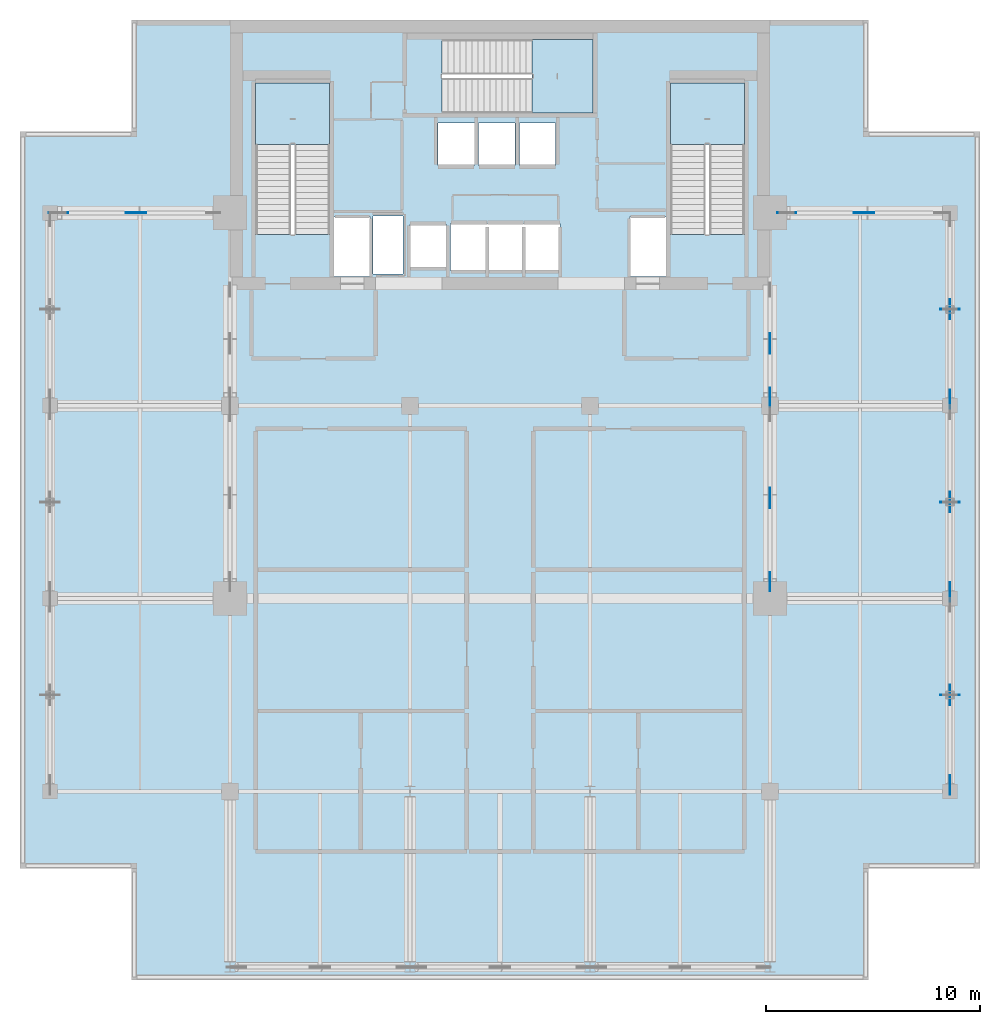
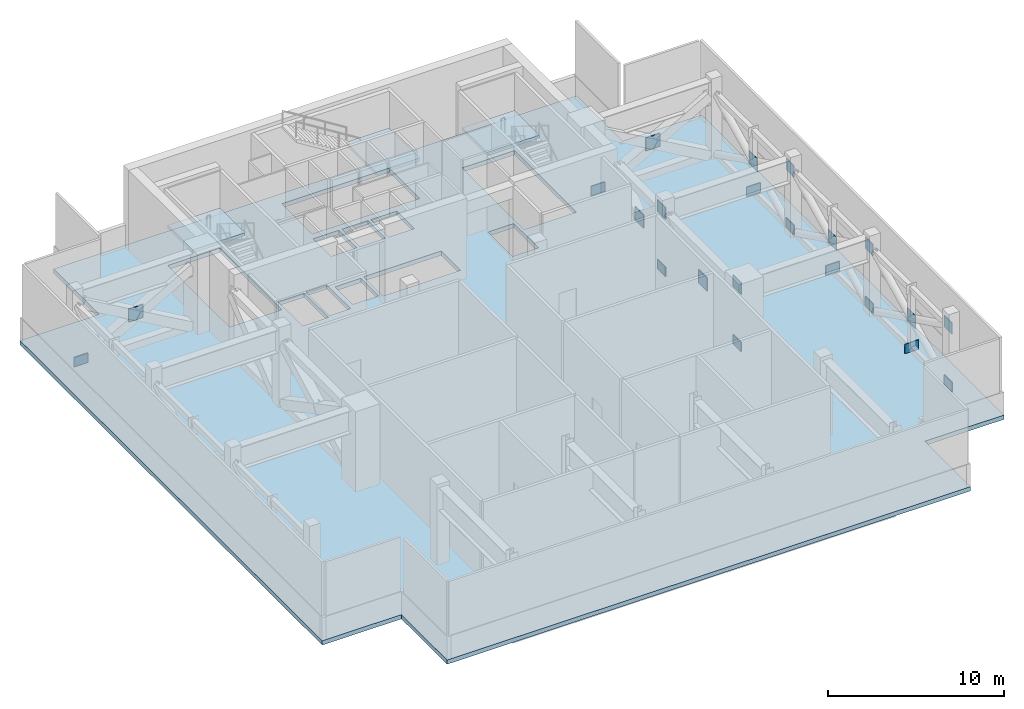
# One storey, part 4 of 11: 22 plates, 4 slabs, 3 elements without a shape of their own.
"""IFC4 building model written with IfcOpenShell, lengths in metres."""

from ifc_helpers import new_model, si_unit, direction, frame, origin, origin_2d, place, context, subcontext, project, spatial, polyline, rectangle, outline, extrude, material, layer, layer_set, type_object, element, aggregate, save


model = new_model("IFC4")

# Units and contexts
model_context = context("Model", 3, precision=1e-05, world=origin(), true_north=direction((0.0, 1.0)))
body_context = subcontext(model_context, "Body", "Model", "MODEL_VIEW")
ifc_project = project(units=[si_unit("LENGTHUNIT", "METRE"), si_unit("AREAUNIT", "SQUARE_METRE"), si_unit("VOLUMEUNIT", "CUBIC_METRE"), si_unit("PLANEANGLEUNIT", "RADIAN"), si_unit("MASSUNIT", "GRAM", prefix="KILO")], contexts=[model_context])

# Site, building, storey
site_placement = place(None, origin())
site = spatial("IfcSite", under=ifc_project, at=site_placement, CompositionType="ELEMENT")
building_placement = place(site_placement, origin())
building = spatial("IfcBuilding", under=site, at=building_placement, Name="Maruvema Waterfront Hotel and Observation Tower", CompositionType="ELEMENT")
storey_placement = place(building_placement, frame((0.0, 0.0, 316.39990234375)))
storey = spatial("IfcBuildingStorey", under=building, at=storey_placement, Name="L78", CompositionType="ELEMENT", Elevation=316.39990234375)

# Slab
ifc_material_1 = material(Name="Concrete C50/60", Category="concrete")
ifc_layer_1 = layer(ifc_material_1, 0.300048828125, Name="Reinforced Concrete Floor Slab 300 mm")
ifc_layer_set_1 = layer_set([ifc_layer_1], Name="Concrete C50/60")
slab_type_1 = type_object("IfcSlabType", Name="Reinforced Concrete Floor Slab 300 mm", PredefinedType="FLOOR", material=ifc_layer_set_1)
slab_1_placement = place(storey_placement, frame((0.0, 0.0, -0.2998046875)))
element("IfcSlab", 1, at=slab_1_placement, inside=storey, type_object=slab_type_1, Name="L78 Structural Floor Slab", PredefinedType="FLOOR", context=body_context, shape_type="SweptSolid", body=[
    extrude(outline(polyline([(20.60009765625, 9.199951171875), (55.0, 9.199951171875), (55.0, 14.39990234375), (60.199951171875, 14.39990234375), (60.199951171875, 48.800048828125), (55.0, 48.800048828125), (55.0, 54.0), (20.60009765625, 54.0), (20.60009765625, 48.800048828125), (15.39990234375, 48.800048828125), (15.39990234375, 14.39990234375), (20.60009765625, 14.39990234375), (20.60009765625, 9.199951171875)]), holes=[polyline([(26.39990234375, 44.00048828125), (26.39990234375, 51.050048828125), (29.85009765625, 51.050048828125), (29.85009765625, 44.00048828125), (26.39990234375, 44.00048828125)]), polyline([(30.050048828125, 44.800048828125), (31.75, 44.800048828125), (31.75, 42.02001953125), (30.050048828125, 42.02001953125), (30.050048828125, 44.800048828125)]), polyline([(31.8798828125, 42.139892578125), (31.8798828125, 44.860107421875), (33.280029296875, 44.860107421875), (33.280029296875, 42.139892578125), (31.8798828125, 42.139892578125)]), polyline([(33.60009765625, 44.449951171875), (35.300048828125, 44.449951171875), (35.300048828125, 42.449951171875), (33.60009765625, 42.449951171875), (33.60009765625, 44.449951171875)]), polyline([(34.89990234375, 49.199951171875), (36.60009765625, 49.199951171875), (36.60009765625, 47.199951171875), (34.89990234375, 47.199951171875), (34.89990234375, 49.199951171875)]), polyline([(36.800048828125, 47.199951171875), (36.800048828125, 49.199951171875), (38.5, 49.199951171875), (38.5, 47.199951171875), (36.800048828125, 47.199951171875)]), polyline([(35.5, 42.300048828125), (35.5, 44.5), (40.60009765625, 44.5), (40.60009765625, 42.300048828125), (35.5, 42.300048828125)]), polyline([(35.1005859375, 53.10009765625), (42.14990234375, 53.10009765625), (42.14990234375, 49.64990234375), (35.1005859375, 49.64990234375), (35.1005859375, 53.10009765625)]), polyline([(38.699951171875, 49.199951171875), (40.39990234375, 49.199951171875), (40.39990234375, 47.199951171875), (38.699951171875, 47.199951171875), (38.699951171875, 49.199951171875)]), polyline([(43.85009765625, 44.800048828125), (45.550048828125, 44.800048828125), (45.550048828125, 42.02001953125), (43.85009765625, 42.02001953125), (43.85009765625, 44.800048828125)]), polyline([(45.75, 44.00048828125), (45.75, 51.050048828125), (49.199951171875, 51.050048828125), (49.199951171875, 44.00048828125), (45.75, 44.00048828125)])]), origin(), (0.0, 0.0, 1.0), 0.2998046875),
])

# Stair, slab
ifc_material_2 = material(Name="Concrete C50/60", Category="concrete")
stair_type = type_object("IfcStairType", Name="Dogleg Exit Stair 1650 mm (32R x 175.0 mm)", PredefinedType="HALF_TURN_STAIR", material=ifc_material_2)
stair_1_placement = place(storey_placement, origin())
stair_1 = element("IfcStair", 2, at=stair_1_placement, inside=storey, type_object=stair_type, Name="L78 ST-01", PredefinedType="HALF_TURN_STAIR")
ifc_material_3 = material(Name="Concrete C50/60", Category="concrete")
ifc_layer_2 = layer(ifc_material_3, 0.219970703125, Name="Stair Concrete Landing Slab 220 mm")
ifc_layer_set_2 = layer_set([ifc_layer_2], Name="Concrete C50/60")
slab_type_2 = type_object("IfcSlabType", Name="Stair Concrete Landing Slab 220 mm", PredefinedType="LANDING", material=ifc_layer_set_2)
slab_2_placement = place(storey_placement, frame((0.0, 0.0, 2.580078125)))
slab_2 = element("IfcSlab", 3, at=slab_2_placement, type_object=slab_type_2, Name="ST-01 landing 1", PredefinedType="LANDING", context=body_context, shape_type="SweptSolid", body=[
    extrude(outline(polyline([(29.85009765625, 48.199951171875), (29.85009765625, 51.050048828125), (26.39990234375, 51.050048828125), (26.39990234375, 48.199951171875), (29.85009765625, 48.199951171875)])), origin(), (0.0, 0.0, 1.0), 0.219970703125),
])
aggregate(stair_1, [slab_2])

stair_2_placement = place(storey_placement, origin())
stair_2 = element("IfcStair", 4, at=stair_2_placement, inside=storey, type_object=stair_type, Name="L78 ST-02", PredefinedType="HALF_TURN_STAIR")
slab_3_placement = place(storey_placement, frame((0.0, 0.0, 2.580078125)))
slab_3 = element("IfcSlab", 5, at=slab_3_placement, type_object=slab_type_2, Name="ST-02 landing 1", PredefinedType="LANDING", context=body_context, shape_type="SweptSolid", body=[
    extrude(outline(polyline([(39.300048828125, 49.64990234375), (42.14990234375, 49.64990234375), (42.14990234375, 53.10009765625), (39.300048828125, 53.10009765625), (39.300048828125, 49.64990234375)])), origin(), (0.0, 0.0, 1.0), 0.219970703125),
])
aggregate(stair_2, [slab_3])

stair_3_placement = place(storey_placement, origin())
stair_3 = element("IfcStair", 6, at=stair_3_placement, inside=storey, type_object=stair_type, Name="L78 ST-03", PredefinedType="HALF_TURN_STAIR")
slab_4_placement = place(storey_placement, frame((0.0, 0.0, 2.580078125)))
slab_4 = element("IfcSlab", 7, at=slab_4_placement, type_object=slab_type_2, Name="ST-03 landing 1", PredefinedType="LANDING", context=body_context, shape_type="SweptSolid", body=[
    extrude(outline(polyline([(49.199951171875, 48.199951171875), (49.199951171875, 51.050048828125), (45.75, 51.050048828125), (45.75, 48.199951171875), (49.199951171875, 48.199951171875)])), origin(), (0.0, 0.0, 1.0), 0.219970703125),
])
aggregate(stair_3, [slab_4])

# Plates
ifc_material_4 = material(Name="Steel ABNT NBR 7007 AR 415 (ASTM A572 Grade 50)", Category="steel")
ifc_layer_3 = layer(ifc_material_4, 0.0400390625, Name="Structural Truss Node Gusset Plate 40 mm")
ifc_layer_set_3 = layer_set([ifc_layer_3], Name="Steel ABNT NBR 7007 AR 415 (ASTM A572 Grade 50)")
plate_type = type_object("IfcPlateType", Name="Structural Truss Node Gusset Plate 40 mm", PredefinedType="USERDEFINED", material=ifc_layer_set_3)
for number, where, z_axis, x_axis, name in (
    (8, (50.39990234375, 27.780029296875, -0.14990234375), (0.0, 0.0, 1.0), (0.0, 1.0, 0.0), "L78 Outrigger Truss Bottom Chord E1 Node Plate 1"),
    (9, (50.39990234375, 27.780029296875, 3.97998046875), (0.0, 0.0, 1.0), (0.0, 1.0, 0.0), "L78 Outrigger Truss Top Chord E1 Node Plate 1"),
):
    element("IfcPlate", number, at=place(storey_placement, frame(where, z_axis=z_axis, x_axis=x_axis)), inside=storey, type_object=plate_type, Name=name, ObjectType="GUSSET_PLATE", PredefinedType="USERDEFINED", context=body_context, shape_type="SweptSolid", body=[
        extrude(rectangle(XDim=0.89990234375, YDim=0.0400390625, at=origin_2d()), origin(), (0.0, 0.0, 1.0), 0.800048828125),
    ])
plate_1_placement = place(storey_placement, frame((50.39990234375, 31.68994140625, 1.865234375), z_axis=(0.0, 0.0, 1.0), x_axis=(0.0, -1.0, 0.0)))
element("IfcPlate", 10, at=plate_1_placement, inside=storey, type_object=plate_type, Name="L78 Outrigger Truss Diagonal E1 Crossing Gusset Node Plate", ObjectType="GUSSET_PLATE", PredefinedType="USERDEFINED", context=body_context, shape_type="SweptSolid", body=[
    extrude(rectangle(XDim=0.949951171875, YDim=0.0400390625, at=origin_2d()), origin(), (0.0, 0.0, 1.0), 0.89990234375),
])
for number, where, z_axis, x_axis, name in (
    (11, (50.39990234375, 36.39990234375, -0.14990234375), (0.0, 0.0, 1.0), (0.0, 1.0, 0.0), "L78 Outrigger Truss Bottom Chord E2 Node Plate 1"),
    (12, (50.39990234375, 36.39990234375, 3.97998046875), (0.0, 0.0, 1.0), (0.0, 1.0, 0.0), "L78 Outrigger Truss Top Chord E2 Node Plate 1"),
):
    element("IfcPlate", number, at=place(storey_placement, frame(where, z_axis=z_axis, x_axis=x_axis)), inside=storey, type_object=plate_type, Name=name, ObjectType="GUSSET_PLATE", PredefinedType="USERDEFINED", context=body_context, shape_type="SweptSolid", body=[
        extrude(rectangle(XDim=0.89990234375, YDim=0.0400390625, at=origin_2d()), origin(), (0.0, 0.0, 1.0), 0.800048828125),
    ])
plate_2_placement = place(storey_placement, frame((50.39990234375, 38.909912109375, 1.865234375), z_axis=(0.0, 0.0, 1.0), x_axis=(0.0, -1.0, 0.0)))
element("IfcPlate", 13, at=plate_2_placement, inside=storey, type_object=plate_type, Name="L78 Outrigger Truss Diagonal E2 Crossing Gusset Node Plate", ObjectType="GUSSET_PLATE", PredefinedType="USERDEFINED", context=body_context, shape_type="SweptSolid", body=[
    extrude(rectangle(XDim=0.949951171875, YDim=0.0400390625, at=origin_2d()), origin(), (0.0, 0.0, 1.0), 0.89990234375),
])
plate_3_placement = place(storey_placement, frame((17.199951171875, 45.0, -0.14990234375), z_axis=(0.0, 0.0, 1.0), x_axis=(1.0, 0.0, 0.0)))
element("IfcPlate", 14, at=plate_3_placement, inside=storey, type_object=plate_type, Name="L78 Outrigger Wing Bottom Chord W1 Node Plate 1", ObjectType="GUSSET_PLATE", PredefinedType="USERDEFINED", context=body_context, shape_type="SweptSolid", body=[
    extrude(rectangle(XDim=0.89990234375, YDim=0.0400390625, at=origin_2d()), origin(), (0.0, 0.0, 1.0), 0.800048828125),
])
plate_4_placement = place(storey_placement, frame((20.81005859375, 45.0, 1.865234375), z_axis=(0.0, 0.0, 1.0), x_axis=(-1.0, 0.0, 0.0)))
element("IfcPlate", 15, at=plate_4_placement, inside=storey, type_object=plate_type, Name="L78 Outrigger Wing Diagonal W1 Crossing Gusset Node Plate", ObjectType="GUSSET_PLATE", PredefinedType="USERDEFINED", context=body_context, shape_type="SweptSolid", body=[
    extrude(rectangle(XDim=0.949951171875, YDim=0.0400390625, at=origin_2d()), origin(), (0.0, 0.0, 1.0), 0.89990234375),
])
plate_5_placement = place(storey_placement, frame((51.179931640625, 45.0, -0.14990234375), z_axis=(0.0, 0.0, 1.0), x_axis=(1.0, 0.0, 0.0)))
element("IfcPlate", 16, at=plate_5_placement, inside=storey, type_object=plate_type, Name="L78 Outrigger Wing Bottom Chord E1 Node Plate 1", ObjectType="GUSSET_PLATE", PredefinedType="USERDEFINED", context=body_context, shape_type="SweptSolid", body=[
    extrude(rectangle(XDim=0.89990234375, YDim=0.0400390625, at=origin_2d()), origin(), (0.0, 0.0, 1.0), 0.800048828125),
])
plate_6_placement = place(storey_placement, frame((54.7900390625, 45.0, 1.865234375), z_axis=(0.0, 0.0, 1.0), x_axis=(-1.0, 0.0, 0.0)))
element("IfcPlate", 17, at=plate_6_placement, inside=storey, type_object=plate_type, Name="L78 Outrigger Wing Diagonal E1 Crossing Gusset Node Plate", ObjectType="GUSSET_PLATE", PredefinedType="USERDEFINED", context=body_context, shape_type="SweptSolid", body=[
    extrude(rectangle(XDim=0.949951171875, YDim=0.0400390625, at=origin_2d()), origin(), (0.0, 0.0, 1.0), 0.89990234375),
])
for number, where, z_axis, x_axis, name in (
    (18, (58.800048828125, 18.300048828125, -0.14990234375), (0.0, 0.0, 1.0), (0.0, 1.0, 0.0), "L78 Perimeter Belt Truss Chord E4 Node Plate 1"),
    (19, (58.800048828125, 18.300048828125, 3.97998046875), (0.0, 0.0, 1.0), (0.0, 1.0, 0.0), "L78 Perimeter Belt Truss Top Chord E4 Node Plate 1"),
    (20, (58.800048828125, 22.5, -0.14990234375), (0.0, 0.0, 1.0), (1.0, 0.0, 0.0), "L78 Perimeter Belt Truss Post E4 Node Plate 1"),
):
    element("IfcPlate", number, at=place(storey_placement, frame(where, z_axis=z_axis, x_axis=x_axis)), inside=storey, type_object=plate_type, Name=name, ObjectType="GUSSET_PLATE", PredefinedType="USERDEFINED", context=body_context, shape_type="SweptSolid", body=[
        extrude(rectangle(XDim=0.89990234375, YDim=0.0400390625, at=origin_2d()), origin(), (0.0, 0.0, 1.0), 0.800048828125),
    ])
plate_7_placement = place(storey_placement, frame((58.800048828125, 22.5, 1.865234375), z_axis=(0.0, 0.0, 1.0), x_axis=(0.0, -1.0, 0.0)))
element("IfcPlate", 21, at=plate_7_placement, inside=storey, type_object=plate_type, Name="L78 Perimeter Belt Truss Diagonal E4 Crossing Gusset Node Plate", ObjectType="GUSSET_PLATE", PredefinedType="USERDEFINED", context=body_context, shape_type="SweptSolid", body=[
    extrude(rectangle(XDim=0.949951171875, YDim=0.0400390625, at=origin_2d()), origin(), (0.0, 0.0, 1.0), 0.89990234375),
])
for number, where, z_axis, x_axis, name in (
    (22, (58.800048828125, 27.300048828125, -0.14990234375), (0.0, 0.0, 1.0), (0.0, 1.0, 0.0), "L78 Perimeter Belt Truss Chord E5 Node Plate 1"),
    (23, (58.800048828125, 27.300048828125, 3.97998046875), (0.0, 0.0, 1.0), (0.0, 1.0, 0.0), "L78 Perimeter Belt Truss Top Chord E5 Node Plate 1"),
    (24, (58.800048828125, 31.5, -0.14990234375), (0.0, 0.0, 1.0), (1.0, 0.0, 0.0), "L78 Perimeter Belt Truss Post E5 Node Plate 1"),
):
    element("IfcPlate", number, at=place(storey_placement, frame(where, z_axis=z_axis, x_axis=x_axis)), inside=storey, type_object=plate_type, Name=name, ObjectType="GUSSET_PLATE", PredefinedType="USERDEFINED", context=body_context, shape_type="SweptSolid", body=[
        extrude(rectangle(XDim=0.89990234375, YDim=0.0400390625, at=origin_2d()), origin(), (0.0, 0.0, 1.0), 0.800048828125),
    ])
plate_8_placement = place(storey_placement, frame((58.800048828125, 31.5, 1.865234375), z_axis=(0.0, 0.0, 1.0), x_axis=(0.0, -1.0, 0.0)))
element("IfcPlate", 25, at=plate_8_placement, inside=storey, type_object=plate_type, Name="L78 Perimeter Belt Truss Diagonal E5 Crossing Gusset Node Plate", ObjectType="GUSSET_PLATE", PredefinedType="USERDEFINED", context=body_context, shape_type="SweptSolid", body=[
    extrude(rectangle(XDim=0.949951171875, YDim=0.0400390625, at=origin_2d()), origin(), (0.0, 0.0, 1.0), 0.89990234375),
])
for number, where, z_axis, x_axis, name in (
    (26, (58.800048828125, 36.300048828125, -0.14990234375), (0.0, 0.0, 1.0), (0.0, 1.0, 0.0), "L78 Perimeter Belt Truss Chord E6 Node Plate 1"),
    (27, (58.800048828125, 36.300048828125, 3.97998046875), (0.0, 0.0, 1.0), (0.0, 1.0, 0.0), "L78 Perimeter Belt Truss Top Chord E6 Node Plate 1"),
    (28, (58.800048828125, 40.5, -0.14990234375), (0.0, 0.0, 1.0), (1.0, 0.0, 0.0), "L78 Perimeter Belt Truss Post E6 Node Plate 1"),
):
    element("IfcPlate", number, at=place(storey_placement, frame(where, z_axis=z_axis, x_axis=x_axis)), inside=storey, type_object=plate_type, Name=name, ObjectType="GUSSET_PLATE", PredefinedType="USERDEFINED", context=body_context, shape_type="SweptSolid", body=[
        extrude(rectangle(XDim=0.89990234375, YDim=0.0400390625, at=origin_2d()), origin(), (0.0, 0.0, 1.0), 0.800048828125),
    ])
plate_9_placement = place(storey_placement, frame((58.800048828125, 40.5, 1.865234375), z_axis=(0.0, 0.0, 1.0), x_axis=(0.0, -1.0, 0.0)))
element("IfcPlate", 29, at=plate_9_placement, inside=storey, type_object=plate_type, Name="L78 Perimeter Belt Truss Diagonal E6 Crossing Gusset Node Plate", ObjectType="GUSSET_PLATE", PredefinedType="USERDEFINED", context=body_context, shape_type="SweptSolid", body=[
    extrude(rectangle(XDim=0.949951171875, YDim=0.0400390625, at=origin_2d()), origin(), (0.0, 0.0, 1.0), 0.89990234375),
])

save(model, "model.ifc")
